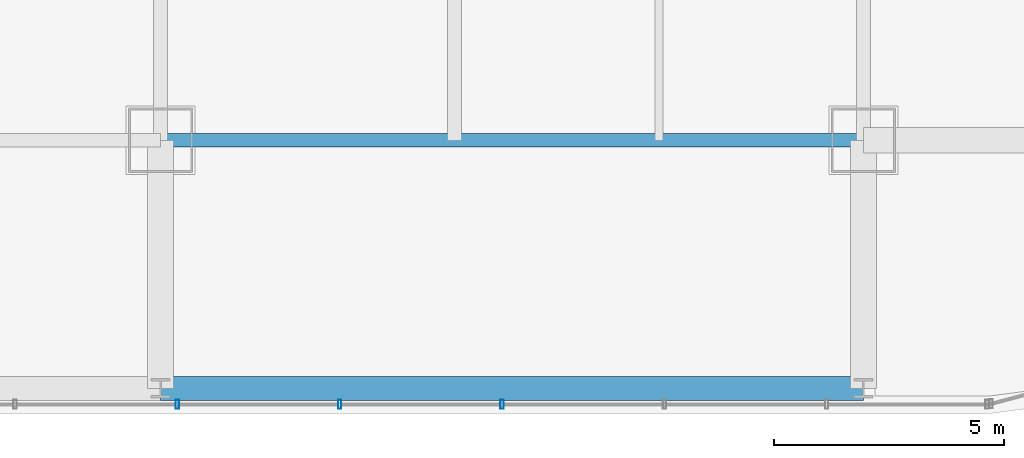
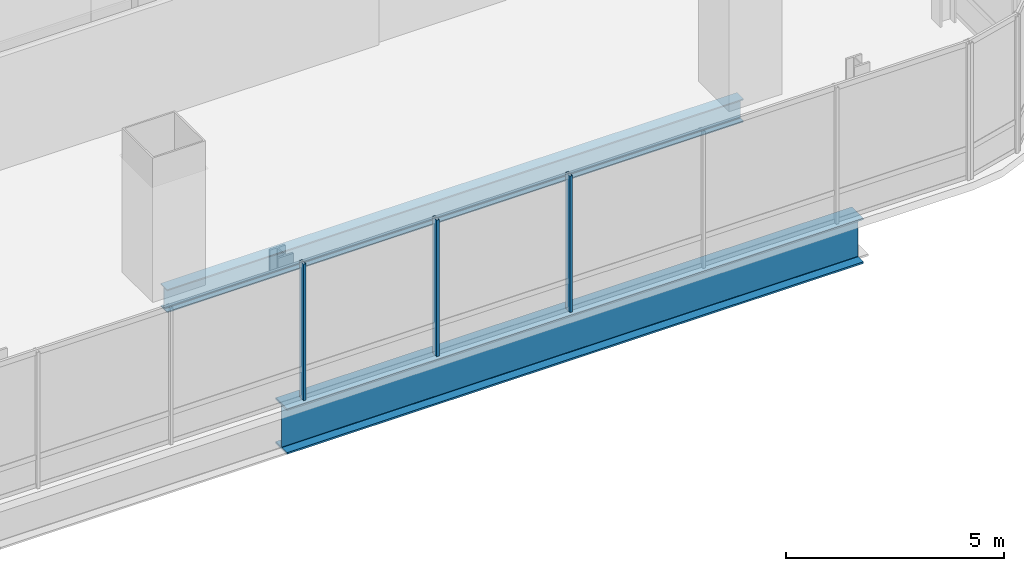
# One storey, part 7 of 36: 3 members, 2 beams, 1 element without a shape of its own.
"""IFC4 building model written with IfcOpenShell, lengths in metres."""

from ifc_helpers import new_model, si_unit, direction, frame, origin, origin_2d, place, context, subcontext, project, spatial, hollow_rectangle, i_section, extrude, material, material_profile, profile_set, type_object, element, aggregate, save


model = new_model("IFC4")

# Units and contexts
model_context = context("Model", 3, precision=1e-05, world=origin(), true_north=direction((0.0, 1.0)))
body_context = subcontext(model_context, "Body", "Model", "MODEL_VIEW")
ifc_project = project(units=[si_unit("LENGTHUNIT", "METRE"), si_unit("AREAUNIT", "SQUARE_METRE"), si_unit("VOLUMEUNIT", "CUBIC_METRE"), si_unit("PLANEANGLEUNIT", "RADIAN"), si_unit("MASSUNIT", "GRAM", prefix="KILO")], contexts=[model_context])

# Site, building, storey
site_placement = place(None, origin())
site = spatial("IfcSite", under=ifc_project, at=site_placement, CompositionType="ELEMENT")
building_placement = place(site_placement, origin())
building = spatial("IfcBuilding", under=site, at=building_placement, Name="Punatoya Terracotta Tower", CompositionType="ELEMENT")
storey_placement = place(building_placement, frame((0.0, 0.0, 212.699951171875)))
storey = spatial("IfcBuildingStorey", under=building, at=storey_placement, Name="L50", CompositionType="ELEMENT", Elevation=212.699951171875)

# Beams
ifc_material_1 = material(Name="Steel S355", Category="steel")
ifc_material_profile_1 = material_profile(ifc_material_1, i_section(OverallWidth=0.300048828125, OverallDepth=0.64990234375, WebThickness=0.01611328125, FlangeThickness=0.031005859375, FilletRadius=0.01806640625, at=origin_2d()))
ifc_profile_set_1 = profile_set([ifc_material_profile_1], Name="Steel S355")
beam_type_1 = type_object("IfcBeamType", Name="BM-PRI-650", PredefinedType="BEAM", material=ifc_profile_set_1)
beam_1_placement = place(storey_placement, frame((3.800048828125, -17.5, -0.544921875), z_axis=(1.0, 0.0, 0.0), x_axis=(0.0, 1.0, 0.0)))
element("IfcBeam", 1, at=beam_1_placement, inside=storey, type_object=beam_type_1, Name="BM-L50-RG-S3", PredefinedType="BEAM", context=body_context, shape_type="SweptSolid", body=[
    extrude(i_section(OverallWidth=0.300048828125, OverallDepth=0.64990234375, WebThickness=0.01611328125, FlangeThickness=0.031005859375, FilletRadius=0.01806640625, at=origin_2d()), origin(), (0.0, 0.0, 1.0), 15.300048828125),
])
ifc_material_2 = material(Name="Steel S460", Category="steel")
ifc_material_profile_2 = material_profile(ifc_material_2, i_section(OverallWidth=0.52001953125, OverallDepth=1.280029296875, WebThickness=0.031982421875, FlangeThickness=0.050048828125, FilletRadius=0.01806640625, at=origin_2d()))
ifc_profile_set_2 = profile_set([ifc_material_profile_2], Name="Steel S460")
beam_type_2 = type_object("IfcBeamType", Name="BM-TG-NCK", PredefinedType="BEAM", material=ifc_profile_set_2)
beam_2_placement = place(storey_placement, frame((3.800048828125, -22.89990234375, -0.85986328125), z_axis=(1.0, 0.0, 0.0), x_axis=(0.0, 1.0, 0.0)))
element("IfcBeam", 2, at=beam_2_placement, inside=storey, type_object=beam_type_2, Name="BM-L50-PER-S3", PredefinedType="BEAM", context=body_context, shape_type="SweptSolid", body=[
    extrude(i_section(OverallWidth=0.52001953125, OverallDepth=1.280029296875, WebThickness=0.031982421875, FlangeThickness=0.050048828125, FilletRadius=0.01806640625, at=origin_2d()), origin(), (0.0, 0.0, 1.0), 15.300048828125),
])

# Curtain wall, members
ifc_material_3 = material(Name="Aluminium 6063-T6 + Double Low-E Glass", Category="aluminium")
curtain_wall_type = type_object("IfcCurtainWallType", Name="CW-M2", PredefinedType="NOTDEFINED", material=ifc_material_3)
curtain_wall_placement = place(storey_placement, origin())
curtain_wall = element("IfcCurtainWall", 3, at=curtain_wall_placement, inside=storey, type_object=curtain_wall_type, Name="L50 Curtain Wall CW-L50-S01-1", PredefinedType="NOTDEFINED")
ifc_material_4 = material(Name="Aluminium 6063-T6", Category="aluminium")
ifc_material_profile_3 = material_profile(ifc_material_4, hollow_rectangle(XDim=0.072021484375, YDim=0.195068359375, WallThickness=0.00439453125, at=origin_2d()))
ifc_profile_set_3 = profile_set([ifc_material_profile_3], Name="Aluminium 6063-T6")
member_type = type_object("IfcMemberType", Name="CW-MUL-M2", PredefinedType="MULLION", material=ifc_profile_set_3)
member_1_placement = place(storey_placement, frame((4.1669921875, -23.25, 0.0), z_axis=(0.0, 0.0, 1.0), x_axis=(1.0, 0.0, 0.0)))
member_1 = element("IfcMember", 4, at=member_1_placement, type_object=member_type, Name="CW-L50-S01-1 Mullion 06", PredefinedType="MULLION", context=body_context, shape_type="SweptSolid", body=[
    extrude(hollow_rectangle(XDim=0.072021484375, YDim=0.195068359375, WallThickness=0.00439453125, at=origin_2d()), origin(), (0.0, 0.0, 1.0), 3.830078125),
])
member_2_placement = place(storey_placement, frame((7.700927734375, -23.25, 0.0), z_axis=(0.0, 0.0, 1.0), x_axis=(1.0, 0.0, 0.0)))
member_2 = element("IfcMember", 5, at=member_2_placement, type_object=member_type, Name="CW-L50-S01-1 Mullion 07", PredefinedType="MULLION", context=body_context, shape_type="SweptSolid", body=[
    extrude(hollow_rectangle(XDim=0.072021484375, YDim=0.195068359375, WallThickness=0.00439453125, at=origin_2d()), origin(), (0.0, 0.0, 1.0), 3.830078125),
])
member_3_placement = place(storey_placement, frame((11.235107421875, -23.25, 0.0), z_axis=(0.0, 0.0, 1.0), x_axis=(1.0, 0.0, 0.0)))
member_3 = element("IfcMember", 6, at=member_3_placement, type_object=member_type, Name="CW-L50-S01-1 Mullion 08", PredefinedType="MULLION", context=body_context, shape_type="SweptSolid", body=[
    extrude(hollow_rectangle(XDim=0.072021484375, YDim=0.195068359375, WallThickness=0.00439453125, at=origin_2d()), origin(), (0.0, 0.0, 1.0), 3.830078125),
])
aggregate(curtain_wall, [member_1, member_2, member_3])

save(model, "model.ifc")
